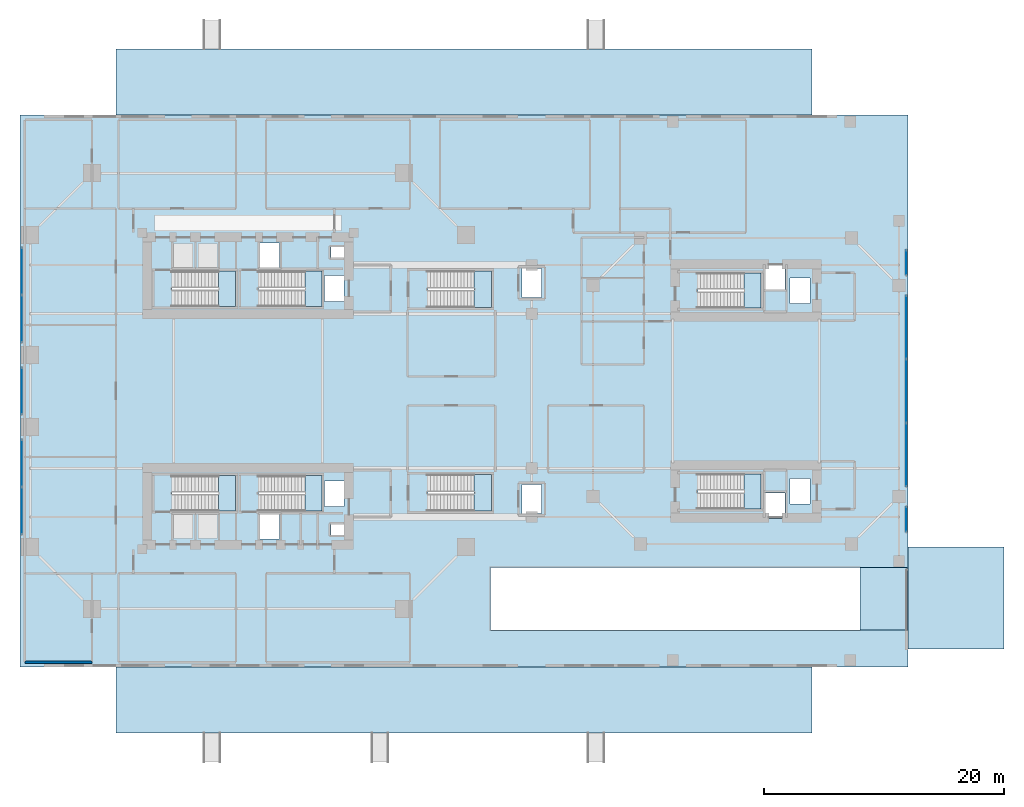
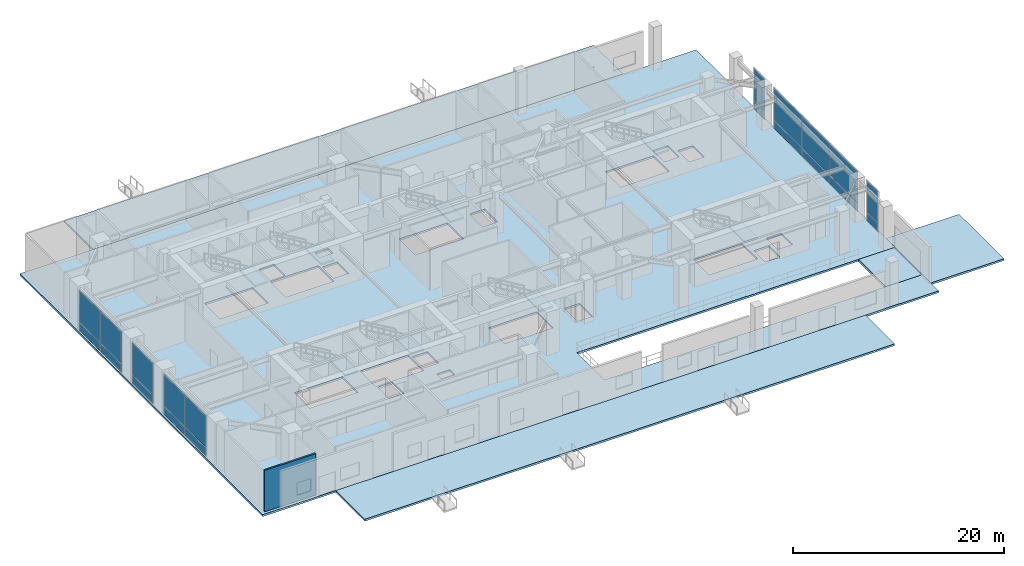
# One storey, part 6 of 18: 20 plates, 13 slabs, 1 wall, 14 elements without a shape of their own.
"""IFC4 building model written with IfcOpenShell, lengths in metres."""

from ifc_helpers import new_model, si_unit, direction, frame, frame_2d, origin, origin_2d, place, context, subcontext, project, spatial, polyline, rectangle, outline, extrude, source, transform, mapped, material, layer, layer_set, type_object, element, aggregate, save


model = new_model("IFC4")

# Units and contexts
model_context = context("Model", 3, precision=1e-05, world=origin(), true_north=direction((0.0, 1.0)))
body_context = subcontext(model_context, "Body", "Model", "MODEL_VIEW")
ifc_project = project(units=[si_unit("LENGTHUNIT", "METRE"), si_unit("AREAUNIT", "SQUARE_METRE"), si_unit("VOLUMEUNIT", "CUBIC_METRE"), si_unit("PLANEANGLEUNIT", "RADIAN"), si_unit("MASSUNIT", "GRAM", prefix="KILO"), si_unit("THERMODYNAMICTEMPERATUREUNIT", "KELVIN"), si_unit("POWERUNIT", "WATT")], contexts=[model_context])

# Site, building, storey
site_placement = place(None, origin())
site = spatial("IfcSite", under=ifc_project, at=site_placement, CompositionType="ELEMENT")
building_placement = place(site_placement, origin())
building = spatial("IfcBuilding", under=site, at=building_placement, Name="Qiaomeng Ring Towers", CompositionType="ELEMENT")
storey_placement = place(building_placement, origin())
storey = spatial("IfcBuildingStorey", under=building, at=storey_placement, Name="L00", CompositionType="ELEMENT", Elevation=0.0)

# Slab
ifc_material_1 = material(Name="Concrete C40", Category="concrete")
ifc_layer_1 = layer(ifc_material_1, 0.219970703125, Name="Concrete C40")
ifc_layer_set_1 = layer_set([ifc_layer_1], Name="Concrete C40")
slab_type_1 = type_object("IfcSlabType", Name="STR-SL-220", PredefinedType="FLOOR", material=ifc_layer_set_1)
slab_1_placement = place(storey_placement, frame((0.0, 0.0, -0.219970703125)))
element("IfcSlab", 1, at=slab_1_placement, inside=storey, type_object=slab_type_1, Name="L00 Structural Floor Slab", PredefinedType="FLOOR", context=body_context, shape_type="SweptSolid", body=[
    extrude(outline(polyline([(0.0, 0.0), (74.0, 0.0), (74.0, 46.0), (0.0, 46.0), (0.0, 0.0)]), holes=[polyline([(25.919921875, 11.89990234375), (27.360107421875, 11.89990234375), (27.360107421875, 11.0), (25.919921875, 11.0), (25.919921875, 11.89990234375)]), polyline([(19.97998046875, 12.820068359375), (21.6201171875, 12.820068359375), (21.6201171875, 10.679931640625), (19.97998046875, 10.679931640625), (19.97998046875, 12.820068359375)]), polyline([(25.360107421875, 15.52001953125), (27.0, 15.52001953125), (27.0, 13.3798828125), (25.360107421875, 13.3798828125), (25.360107421875, 15.52001953125)]), polyline([(17.949951171875, 15.949951171875), (17.949951171875, 13.010009765625), (12.679931640625, 13.010009765625), (12.679931640625, 15.949951171875), (17.949951171875, 15.949951171875)]), polyline([(25.14990234375, 15.949951171875), (25.14990234375, 13.010009765625), (19.8798828125, 13.010009765625), (19.8798828125, 15.949951171875), (25.14990234375, 15.949951171875)]), polyline([(33.989990234375, 16.0400390625), (39.300048828125, 16.0400390625), (39.300048828125, 13.0), (33.989990234375, 13.0), (33.989990234375, 16.0400390625)]), polyline([(39.300048828125, 33.0), (39.300048828125, 29.9599609375), (33.989990234375, 29.9599609375), (33.989990234375, 33.0), (39.300048828125, 33.0)]), polyline([(17.949951171875, 32.989990234375), (17.949951171875, 30.050048828125), (12.679931640625, 30.050048828125), (12.679931640625, 32.989990234375), (17.949951171875, 32.989990234375)]), polyline([(19.8798828125, 32.989990234375), (25.14990234375, 32.989990234375), (25.14990234375, 30.050048828125), (19.8798828125, 30.050048828125), (19.8798828125, 32.989990234375)]), polyline([(27.0, 32.6201171875), (27.0, 30.47998046875), (25.360107421875, 30.47998046875), (25.360107421875, 32.6201171875), (27.0, 32.6201171875)]), polyline([(21.6201171875, 35.320068359375), (21.6201171875, 33.179931640625), (19.97998046875, 33.179931640625), (19.97998046875, 35.320068359375), (21.6201171875, 35.320068359375)]), polyline([(25.919921875, 35.0), (27.360107421875, 35.0), (27.360107421875, 34.10009765625), (25.919921875, 34.10009765625), (25.919921875, 35.0)]), polyline([(73.820068359375, 8.300048828125), (73.820068359375, 3.10009765625), (39.199951171875, 3.10009765625), (39.199951171875, 8.300048828125), (73.820068359375, 8.300048828125)]), polyline([(63.77001953125, 14.52001953125), (63.77001953125, 12.3798828125), (62.1298828125, 12.3798828125), (62.1298828125, 14.52001953125), (63.77001953125, 14.52001953125)]), polyline([(41.830078125, 15.219970703125), (43.469970703125, 15.219970703125), (43.469970703125, 12.780029296875), (41.830078125, 12.780029296875), (41.830078125, 15.219970703125)]), polyline([(61.75, 16.10009765625), (61.75, 13.159912109375), (56.47998046875, 13.159912109375), (56.47998046875, 16.10009765625), (61.75, 16.10009765625)]), polyline([(65.820068359375, 15.719970703125), (65.820068359375, 13.580078125), (64.179931640625, 13.580078125), (64.179931640625, 15.719970703125), (65.820068359375, 15.719970703125)]), polyline([(65.820068359375, 32.419921875), (65.820068359375, 30.280029296875), (64.179931640625, 30.280029296875), (64.179931640625, 32.419921875), (65.820068359375, 32.419921875)]), polyline([(56.47998046875, 32.840087890625), (61.75, 32.840087890625), (61.75, 29.89990234375), (56.47998046875, 29.89990234375), (56.47998046875, 32.840087890625)]), polyline([(43.469970703125, 33.219970703125), (43.469970703125, 30.780029296875), (41.830078125, 30.780029296875), (41.830078125, 33.219970703125), (43.469970703125, 33.219970703125)]), polyline([(63.77001953125, 33.6201171875), (63.77001953125, 31.47998046875), (62.1298828125, 31.47998046875), (62.1298828125, 33.6201171875), (63.77001953125, 33.6201171875)])]), origin(), (0.0, 0.0, 1.0), 0.219970703125),
])

# Stair, slab
ifc_material_2 = material(Name="Precast concrete C40", Category="concrete")
stair_type_1 = type_object("IfcStairType", Name="ARC-ST-500", PredefinedType="HALF_TURN_STAIR", material=ifc_material_2)
stair_1_placement = place(storey_placement, origin())
stair_1 = element("IfcStair", 2, at=stair_1_placement, inside=storey, type_object=stair_type_1, Name="L00 Tower 1 North Stair 1", PredefinedType="HALF_TURN_STAIR")
ifc_layer_2 = layer(ifc_material_1, 0.199951171875, Name="Concrete C40")
ifc_layer_set_2 = layer_set([ifc_layer_2], Name="Concrete C40")
slab_type_2 = type_object("IfcSlabType", Name="STR-SL-LANDING", PredefinedType="LANDING", material=ifc_layer_set_2)
slab_2_placement = place(storey_placement, frame((0.0, 0.0, 2.300048828125)))
slab_2 = element("IfcSlab", 3, at=slab_2_placement, type_object=slab_type_2, Name="ST1 landing 1", PredefinedType="LANDING", context=body_context, shape_type="SweptSolid", body=[
    extrude(outline(polyline([(16.5400390625, 30.050048828125), (17.949951171875, 30.050048828125), (17.949951171875, 32.989990234375), (16.5400390625, 32.989990234375), (16.5400390625, 30.050048828125)])), origin(), (0.0, 0.0, 1.0), 0.199951171875),
])
aggregate(stair_1, [slab_2])

stair_2_placement = place(storey_placement, origin())
stair_2 = element("IfcStair", 4, at=stair_2_placement, inside=storey, type_object=stair_type_1, Name="L00 Tower 1 North Stair 2", PredefinedType="HALF_TURN_STAIR")
slab_3_placement = place(storey_placement, frame((0.0, 0.0, 2.300048828125)))
slab_3 = element("IfcSlab", 5, at=slab_3_placement, type_object=slab_type_2, Name="ST2 landing 1", PredefinedType="LANDING", context=body_context, shape_type="SweptSolid", body=[
    extrude(outline(polyline([(23.739990234375, 30.050048828125), (25.14990234375, 30.050048828125), (25.14990234375, 32.989990234375), (23.739990234375, 32.989990234375), (23.739990234375, 30.050048828125)])), origin(), (0.0, 0.0, 1.0), 0.199951171875),
])
aggregate(stair_2, [slab_3])

stair_3_placement = place(storey_placement, origin())
stair_3 = element("IfcStair", 6, at=stair_3_placement, inside=storey, type_object=stair_type_1, Name="L00 Tower 1 South Stair 3", PredefinedType="HALF_TURN_STAIR")
slab_4_placement = place(storey_placement, frame((0.0, 0.0, 2.300048828125)))
slab_4 = element("IfcSlab", 7, at=slab_4_placement, type_object=slab_type_2, Name="ST3 landing 1", PredefinedType="LANDING", context=body_context, shape_type="SweptSolid", body=[
    extrude(outline(polyline([(16.5400390625, 13.010009765625), (17.949951171875, 13.010009765625), (17.949951171875, 15.949951171875), (16.5400390625, 15.949951171875), (16.5400390625, 13.010009765625)])), origin(), (0.0, 0.0, 1.0), 0.199951171875),
])
aggregate(stair_3, [slab_4])

stair_4_placement = place(storey_placement, origin())
stair_4 = element("IfcStair", 8, at=stair_4_placement, inside=storey, type_object=stair_type_1, Name="L00 Tower 1 South Stair 4", PredefinedType="HALF_TURN_STAIR")
slab_5_placement = place(storey_placement, frame((0.0, 0.0, 2.300048828125)))
slab_5 = element("IfcSlab", 9, at=slab_5_placement, type_object=slab_type_2, Name="ST4 landing 1", PredefinedType="LANDING", context=body_context, shape_type="SweptSolid", body=[
    extrude(outline(polyline([(23.739990234375, 13.010009765625), (25.14990234375, 13.010009765625), (25.14990234375, 15.949951171875), (23.739990234375, 15.949951171875), (23.739990234375, 13.010009765625)])), origin(), (0.0, 0.0, 1.0), 0.199951171875),
])
aggregate(stair_4, [slab_5])

stair_5_placement = place(storey_placement, origin())
stair_5 = element("IfcStair", 10, at=stair_5_placement, inside=storey, type_object=stair_type_1, Name="L00 Companion North Stair 5", PredefinedType="HALF_TURN_STAIR")
slab_6_placement = place(storey_placement, frame((0.0, 0.0, 2.300048828125)))
slab_6 = element("IfcSlab", 11, at=slab_6_placement, type_object=slab_type_2, Name="ST5 landing 1", PredefinedType="LANDING", context=body_context, shape_type="SweptSolid", body=[
    extrude(outline(polyline([(60.340087890625, 29.89990234375), (61.75, 29.89990234375), (61.75, 32.840087890625), (60.340087890625, 32.840087890625), (60.340087890625, 29.89990234375)])), origin(), (0.0, 0.0, 1.0), 0.199951171875),
])
aggregate(stair_5, [slab_6])

stair_6_placement = place(storey_placement, origin())
stair_6 = element("IfcStair", 12, at=stair_6_placement, inside=storey, type_object=stair_type_1, Name="L00 Companion South Stair 6", PredefinedType="HALF_TURN_STAIR")
slab_7_placement = place(storey_placement, frame((0.0, 0.0, 2.300048828125)))
slab_7 = element("IfcSlab", 13, at=slab_7_placement, type_object=slab_type_2, Name="ST6 landing 1", PredefinedType="LANDING", context=body_context, shape_type="SweptSolid", body=[
    extrude(outline(polyline([(60.340087890625, 13.159912109375), (61.75, 13.159912109375), (61.75, 16.10009765625), (60.340087890625, 16.10009765625), (60.340087890625, 13.159912109375)])), origin(), (0.0, 0.0, 1.0), 0.199951171875),
])
aggregate(stair_6, [slab_7])

stair_type_2 = type_object("IfcStairType", Name="ARC-ST-POD", PredefinedType="HALF_TURN_STAIR", material=ifc_material_2)
stair_7_placement = place(storey_placement, origin())
stair_7 = element("IfcStair", 14, at=stair_7_placement, inside=storey, type_object=stair_type_2, Name="L00 Podium Clinic North Stair 7", PredefinedType="HALF_TURN_STAIR")
slab_8_placement = place(storey_placement, frame((0.0, 0.0, 2.300048828125)))
slab_8 = element("IfcSlab", 15, at=slab_8_placement, type_object=slab_type_2, Name="ST7 landing 1", PredefinedType="LANDING", context=body_context, shape_type="SweptSolid", body=[
    extrude(outline(polyline([(37.85009765625, 29.9599609375), (39.300048828125, 29.9599609375), (39.300048828125, 33.0), (37.85009765625, 33.0), (37.85009765625, 29.9599609375)])), origin(), (0.0, 0.0, 1.0), 0.199951171875),
])
aggregate(stair_7, [slab_8])

stair_8_placement = place(storey_placement, origin())
stair_8 = element("IfcStair", 16, at=stair_8_placement, inside=storey, type_object=stair_type_2, Name="L00 Podium Clinic South Stair 8", PredefinedType="HALF_TURN_STAIR")
slab_9_placement = place(storey_placement, frame((0.0, 0.0, 2.300048828125)))
slab_9 = element("IfcSlab", 17, at=slab_9_placement, type_object=slab_type_2, Name="ST8 landing 1", PredefinedType="LANDING", context=body_context, shape_type="SweptSolid", body=[
    extrude(outline(polyline([(37.85009765625, 13.0), (39.300048828125, 13.0), (39.300048828125, 16.0400390625), (37.85009765625, 16.0400390625), (37.85009765625, 13.0)])), origin(), (0.0, 0.0, 1.0), 0.199951171875),
])
aggregate(stair_8, [slab_9])

# Slabs
ifc_layer_3 = layer(ifc_material_1, 0.219970703125, Name="Concrete C40")
ifc_layer_set_3 = layer_set([ifc_layer_3], Name="Concrete C40")
slab_type_3 = type_object("IfcSlabType", Name="STR-SL-TERR220", PredefinedType="FLOOR", material=ifc_layer_set_3)
slab_10_placement = place(storey_placement, frame((0.0, 0.0, -0.219970703125)))
element("IfcSlab", 18, at=slab_10_placement, inside=storey, type_object=slab_type_3, Name="Ground South Entry Forecourt Apron", PredefinedType="FLOOR", context=body_context, shape_type="SweptSolid", body=[
    extrude(outline(polyline([(8.0, -5.5), (66.0, -5.5), (66.0, 0.0), (8.0, 0.0), (8.0, -5.5)])), origin(), (0.0, 0.0, 1.0), 0.219970703125),
])
slab_11_placement = place(storey_placement, frame((0.0, 0.0, -0.219970703125)))
element("IfcSlab", 19, at=slab_11_placement, inside=storey, type_object=slab_type_3, Name="Ground North Entry Forecourt Apron", PredefinedType="FLOOR", context=body_context, shape_type="SweptSolid", body=[
    extrude(outline(polyline([(8.0, 46.0), (66.0, 46.0), (66.0, 51.5), (8.0, 51.5), (8.0, 46.0)])), origin(), (0.0, 0.0, 1.0), 0.219970703125),
])
slab_12_placement = place(storey_placement, frame((0.0, 0.0, -0.219970703125)))
element("IfcSlab", 20, at=slab_12_placement, inside=storey, type_object=slab_type_3, Name="Ground East Car Park Ramp Exit Driveway Apron", PredefinedType="FLOOR", context=body_context, shape_type="SweptSolid", body=[
    extrude(outline(polyline([(74.0, 1.5), (82.0, 1.5), (82.0, 10.0), (74.0, 10.0), (74.0, 1.5)])), origin(), (0.0, 0.0, 1.0), 0.219970703125),
])
ifc_layer_4 = layer(ifc_material_1, 0.280029296875, Name="Concrete C40")
ifc_layer_set_4 = layer_set([ifc_layer_4], Name="Concrete C40")
slab_type_4 = type_object("IfcSlabType", Name="STR-SL-VRAMP", PredefinedType="FLOOR", material=ifc_layer_set_4)
slab_13_placement = place(storey_placement, frame((0.0, 0.0, -0.280029296875)))
element("IfcSlab", 21, at=slab_13_placement, inside=storey, type_object=slab_type_4, Name="Car Park Vehicle Ramp R1 Grade Arrival Landing", PredefinedType="FLOOR", context=body_context, shape_type="SweptSolid", body=[
    extrude(outline(polyline([(70.0, 3.10009765625), (73.89990234375, 3.10009765625), (73.89990234375, 8.300048828125), (70.0, 8.300048828125), (70.0, 3.10009765625)])), origin(), (0.0, 0.0, 1.0), 0.280029296875),
])

# Curtain wall, plates
ifc_material_3 = material(Name="Fluorocarbon dark-grey aluminium", Category="aluminium")
ifc_layer_5 = layer(ifc_material_3, 0.179931640625, Name="Fluorocarbon dark-grey aluminium")
ifc_layer_set_5 = layer_set([ifc_layer_5], Name="Fluorocarbon dark-grey aluminium")
curtain_wall_type = type_object("IfcCurtainWallType", Name="ARC-CW-1", PredefinedType="NOTDEFINED", material=ifc_layer_set_5)
curtain_wall_1_placement = place(storey_placement, origin())
curtain_wall_1 = element("IfcCurtainWall", 22, at=curtain_wall_1_placement, inside=storey, type_object=curtain_wall_type, Name="L00 Curtain Wall CW1", PredefinedType="NOTDEFINED")
ifc_material_4 = material(Name="Low-E pale-green laminated safety glass", Category="glass")
ifc_layer_6 = layer(ifc_material_4, 0.031982421875, Name="Low-E pale-green laminated safety glass")
ifc_layer_set_6 = layer_set([ifc_layer_6], Name="Low-E pale-green laminated safety glass")
plate_type = type_object("IfcPlateType", Name="ARC-CWP-GREEN", PredefinedType="CURTAIN_PANEL", material=ifc_layer_set_6)
shared_shape_1 = source(origin(), body_context, "Body", "SweptSolid", [
    extrude(rectangle(XDim=3.889892578125, YDim=0.031982421875, at=origin_2d()), origin(), (0.0, 0.0, 1.0), 0.945068359375),
])
plate_1_placement = place(storey_placement, frame((0.14990234375, 13.014892578125, 0.06982421875), z_axis=(0.0, 0.0, 1.0), x_axis=(0.0, 1.0, 0.0)))
plate_1 = element("IfcPlate", 23, at=plate_1_placement, type_object=plate_type, Name="CW1 panel 1.1", PredefinedType="CURTAIN_PANEL", context=body_context, shape_type="MappedRepresentation", body=[
    mapped(shared_shape_1, transform((0.0, 0.0, 0.0), x_axis=(1.0, 0.0, 0.0), y_axis=(0.0, 1.0, 0.0), z_axis=(0.0, 0.0, 1.0), scale=1.0)),
])
plate_2_placement = place(storey_placement, frame((0.14990234375, 16.985107421875, 0.06982421875), z_axis=(0.0, 0.0, 1.0), x_axis=(0.0, 1.0, 0.0)))
plate_2 = element("IfcPlate", 24, at=plate_2_placement, type_object=plate_type, Name="CW1 panel 2.1", PredefinedType="CURTAIN_PANEL", context=body_context, shape_type="MappedRepresentation", body=[
    mapped(shared_shape_1, transform((0.0, 0.0, 0.0), x_axis=(1.0, 0.0, 0.0), y_axis=(0.0, 1.0, 0.0), z_axis=(0.0, 0.0, 1.0), scale=1.0)),
])

curtain_wall_2_placement = place(storey_placement, origin())
curtain_wall_2 = element("IfcCurtainWall", 25, at=curtain_wall_2_placement, inside=storey, type_object=curtain_wall_type, Name="L00 Curtain Wall CW1", PredefinedType="NOTDEFINED")
plate_3_placement = place(storey_placement, frame((0.14990234375, 29.014892578125, 0.06982421875), z_axis=(0.0, 0.0, 1.0), x_axis=(0.0, 1.0, 0.0)))
plate_3 = element("IfcPlate", 26, at=plate_3_placement, type_object=plate_type, Name="CW1 panel 1.1", PredefinedType="CURTAIN_PANEL", context=body_context, shape_type="MappedRepresentation", body=[
    mapped(shared_shape_1, transform((0.0, 0.0, 0.0), x_axis=(1.0, 0.0, 0.0), y_axis=(0.0, 1.0, 0.0), z_axis=(0.0, 0.0, 1.0), scale=1.0)),
])
plate_4_placement = place(storey_placement, frame((0.14990234375, 32.985107421875, 0.06982421875), z_axis=(0.0, 0.0, 1.0), x_axis=(0.0, 1.0, 0.0)))
plate_4 = element("IfcPlate", 27, at=plate_4_placement, type_object=plate_type, Name="CW1 panel 2.1", PredefinedType="CURTAIN_PANEL", context=body_context, shape_type="MappedRepresentation", body=[
    mapped(shared_shape_1, transform((0.0, 0.0, 0.0), x_axis=(1.0, 0.0, 0.0), y_axis=(0.0, 1.0, 0.0), z_axis=(0.0, 0.0, 1.0), scale=1.0)),
])

# Plate
shared_shape_2 = source(origin(), body_context, "Body", "SweptSolid", [
    extrude(rectangle(XDim=3.889892578125, YDim=0.031982421875, at=origin_2d()), origin(), (0.0, 0.0, 1.0), 3.625),
])
plate_5_placement = place(storey_placement, frame((0.14990234375, 13.014892578125, 1.0849609375), z_axis=(0.0, 0.0, 1.0), x_axis=(0.0, 1.0, 0.0)))
plate_5 = element("IfcPlate", 28, at=plate_5_placement, type_object=plate_type, Name="CW1 panel 1.2", PredefinedType="CURTAIN_PANEL", context=body_context, shape_type="MappedRepresentation", body=[
    mapped(shared_shape_2, transform((0.0, 0.0, 0.0), x_axis=(1.0, 0.0, 0.0), y_axis=(0.0, 1.0, 0.0), z_axis=(0.0, 0.0, 1.0), scale=1.0)),
])

plate_6_placement = place(storey_placement, frame((0.14990234375, 16.985107421875, 1.0849609375), z_axis=(0.0, 0.0, 1.0), x_axis=(0.0, 1.0, 0.0)))
plate_6 = element("IfcPlate", 29, at=plate_6_placement, type_object=plate_type, Name="CW1 panel 2.2", PredefinedType="CURTAIN_PANEL", context=body_context, shape_type="MappedRepresentation", body=[
    mapped(shared_shape_2, transform((0.0, 0.0, 0.0), x_axis=(1.0, 0.0, 0.0), y_axis=(0.0, 1.0, 0.0), z_axis=(0.0, 0.0, 1.0), scale=1.0)),
])

aggregate(curtain_wall_1, [plate_1, plate_5, plate_2, plate_6])

plate_7_placement = place(storey_placement, frame((0.14990234375, 29.014892578125, 1.0849609375), z_axis=(0.0, 0.0, 1.0), x_axis=(0.0, 1.0, 0.0)))
plate_7 = element("IfcPlate", 30, at=plate_7_placement, type_object=plate_type, Name="CW1 panel 1.2", PredefinedType="CURTAIN_PANEL", context=body_context, shape_type="MappedRepresentation", body=[
    mapped(shared_shape_2, transform((0.0, 0.0, 0.0), x_axis=(1.0, 0.0, 0.0), y_axis=(0.0, 1.0, 0.0), z_axis=(0.0, 0.0, 1.0), scale=1.0)),
])

plate_8_placement = place(storey_placement, frame((0.14990234375, 32.985107421875, 1.0849609375), z_axis=(0.0, 0.0, 1.0), x_axis=(0.0, 1.0, 0.0)))
plate_8 = element("IfcPlate", 31, at=plate_8_placement, type_object=plate_type, Name="CW1 panel 2.2", PredefinedType="CURTAIN_PANEL", context=body_context, shape_type="MappedRepresentation", body=[
    mapped(shared_shape_2, transform((0.0, 0.0, 0.0), x_axis=(1.0, 0.0, 0.0), y_axis=(0.0, 1.0, 0.0), z_axis=(0.0, 0.0, 1.0), scale=1.0)),
])

aggregate(curtain_wall_2, [plate_3, plate_7, plate_4, plate_8])

# Curtain wall, plates
curtain_wall_3_placement = place(storey_placement, origin())
curtain_wall_3 = element("IfcCurtainWall", 32, at=curtain_wall_3_placement, inside=storey, type_object=curtain_wall_type, Name="L00 Curtain Wall CW1", PredefinedType="NOTDEFINED")
shared_shape_3 = source(origin(), body_context, "Body", "SweptSolid", [
    extrude(rectangle(XDim=3.860107421875, YDim=0.031982421875, at=origin_2d()), origin(), (0.0, 0.0, 1.0), 0.945068359375),
])
plate_9_placement = place(storey_placement, frame((0.14990234375, 23.0, 0.06982421875), z_axis=(0.0, 0.0, 1.0), x_axis=(0.0, 1.0, 0.0)))
plate_9 = element("IfcPlate", 33, at=plate_9_placement, type_object=plate_type, Name="CW1 panel 1.1", PredefinedType="CURTAIN_PANEL", context=body_context, shape_type="MappedRepresentation", body=[
    mapped(shared_shape_3, transform((0.0, 0.0, 0.0), x_axis=(1.0, 0.0, 0.0), y_axis=(0.0, 1.0, 0.0), z_axis=(0.0, 0.0, 1.0), scale=1.0)),
])
shared_shape_4 = source(origin(), body_context, "Body", "SweptSolid", [
    extrude(rectangle(XDim=3.860107421875, YDim=0.031982421875, at=origin_2d()), origin(), (0.0, 0.0, 1.0), 3.625),
])
plate_10_placement = place(storey_placement, frame((0.14990234375, 23.0, 1.0849609375), z_axis=(0.0, 0.0, 1.0), x_axis=(0.0, 1.0, 0.0)))
plate_10 = element("IfcPlate", 34, at=plate_10_placement, type_object=plate_type, Name="CW1 panel 1.2", PredefinedType="CURTAIN_PANEL", context=body_context, shape_type="MappedRepresentation", body=[
    mapped(shared_shape_4, transform((0.0, 0.0, 0.0), x_axis=(1.0, 0.0, 0.0), y_axis=(0.0, 1.0, 0.0), z_axis=(0.0, 0.0, 1.0), scale=1.0)),
])
aggregate(curtain_wall_3, [plate_9, plate_10])

# Curtain wall, plate
curtain_wall_4_placement = place(storey_placement, origin())
curtain_wall_4 = element("IfcCurtainWall", 35, at=curtain_wall_4_placement, inside=storey, type_object=curtain_wall_type, Name="L00 Curtain Wall CW1", PredefinedType="NOTDEFINED")
shared_shape_5 = source(origin(), body_context, "Body", "SweptSolid", [
    extrude(rectangle(XDim=2.050048828125, YDim=0.031982421875, at=origin_2d()), origin(), (0.0, 0.0, 1.0), 0.945068359375),
])
plate_11_placement = place(storey_placement, frame((73.85009765625, 12.304931640625, 0.06982421875), z_axis=(0.0, 0.0, 1.0), x_axis=(0.0, 1.0, 0.0)))
plate_11 = element("IfcPlate", 36, at=plate_11_placement, type_object=plate_type, Name="CW1 panel 1.1", PredefinedType="CURTAIN_PANEL", context=body_context, shape_type="MappedRepresentation", body=[
    mapped(shared_shape_5, transform((0.0, 0.0, 0.0), x_axis=(1.0, 0.0, 0.0), y_axis=(0.0, 1.0, 0.0), z_axis=(0.0, 0.0, 1.0), scale=1.0)),
])

curtain_wall_5_placement = place(storey_placement, origin())
curtain_wall_5 = element("IfcCurtainWall", 37, at=curtain_wall_5_placement, inside=storey, type_object=curtain_wall_type, Name="L00 Curtain Wall CW1", PredefinedType="NOTDEFINED")
plate_12_placement = place(storey_placement, frame((73.85009765625, 33.695068359375, 0.06982421875), z_axis=(0.0, 0.0, 1.0), x_axis=(0.0, 1.0, 0.0)))
plate_12 = element("IfcPlate", 38, at=plate_12_placement, type_object=plate_type, Name="CW1 panel 1.1", PredefinedType="CURTAIN_PANEL", context=body_context, shape_type="MappedRepresentation", body=[
    mapped(shared_shape_5, transform((0.0, 0.0, 0.0), x_axis=(1.0, 0.0, 0.0), y_axis=(0.0, 1.0, 0.0), z_axis=(0.0, 0.0, 1.0), scale=1.0)),
])

# Plate
shared_shape_6 = source(origin(), body_context, "Body", "SweptSolid", [
    extrude(rectangle(XDim=2.050048828125, YDim=0.031982421875, at=origin_2d()), origin(), (0.0, 0.0, 1.0), 3.625),
])
plate_13_placement = place(storey_placement, frame((73.85009765625, 12.304931640625, 1.0849609375), z_axis=(0.0, 0.0, 1.0), x_axis=(0.0, 1.0, 0.0)))
plate_13 = element("IfcPlate", 39, at=plate_13_placement, type_object=plate_type, Name="CW1 panel 1.2", PredefinedType="CURTAIN_PANEL", context=body_context, shape_type="MappedRepresentation", body=[
    mapped(shared_shape_6, transform((0.0, 0.0, 0.0), x_axis=(1.0, 0.0, 0.0), y_axis=(0.0, 1.0, 0.0), z_axis=(0.0, 0.0, 1.0), scale=1.0)),
])

aggregate(curtain_wall_4, [plate_11, plate_13])

plate_14_placement = place(storey_placement, frame((73.85009765625, 33.695068359375, 1.0849609375), z_axis=(0.0, 0.0, 1.0), x_axis=(0.0, 1.0, 0.0)))
plate_14 = element("IfcPlate", 40, at=plate_14_placement, type_object=plate_type, Name="CW1 panel 1.2", PredefinedType="CURTAIN_PANEL", context=body_context, shape_type="MappedRepresentation", body=[
    mapped(shared_shape_6, transform((0.0, 0.0, 0.0), x_axis=(1.0, 0.0, 0.0), y_axis=(0.0, 1.0, 0.0), z_axis=(0.0, 0.0, 1.0), scale=1.0)),
])

aggregate(curtain_wall_5, [plate_12, plate_14])

# Curtain wall, plates
curtain_wall_6_placement = place(storey_placement, origin())
curtain_wall_6 = element("IfcCurtainWall", 41, at=curtain_wall_6_placement, inside=storey, type_object=curtain_wall_type, Name="L00 Curtain Wall CW1", PredefinedType="NOTDEFINED")
shared_shape_7 = source(origin(), body_context, "Body", "SweptSolid", [
    extrude(rectangle(XDim=5.219970703125, YDim=0.031982421875, at=origin_2d()), origin(), (0.0, 0.0, 1.0), 0.945068359375),
])
plate_15_placement = place(storey_placement, frame((73.85009765625, 17.679931640625, 0.06982421875), z_axis=(0.0, 0.0, 1.0), x_axis=(0.0, 1.0, 0.0)))
plate_15 = element("IfcPlate", 42, at=plate_15_placement, type_object=plate_type, Name="CW1 panel 1.1", PredefinedType="CURTAIN_PANEL", context=body_context, shape_type="MappedRepresentation", body=[
    mapped(shared_shape_7, transform((0.0, 0.0, 0.0), x_axis=(1.0, 0.0, 0.0), y_axis=(0.0, 1.0, 0.0), z_axis=(0.0, 0.0, 1.0), scale=1.0)),
])
plate_16_placement = place(storey_placement, frame((73.85009765625, 28.320068359375, 0.06982421875), z_axis=(0.0, 0.0, 1.0), x_axis=(0.0, 1.0, 0.0)))
plate_16 = element("IfcPlate", 43, at=plate_16_placement, type_object=plate_type, Name="CW1 panel 3.1", PredefinedType="CURTAIN_PANEL", context=body_context, shape_type="MappedRepresentation", body=[
    mapped(shared_shape_7, transform((0.0, 0.0, 0.0), x_axis=(1.0, 0.0, 0.0), y_axis=(0.0, 1.0, 0.0), z_axis=(0.0, 0.0, 1.0), scale=1.0)),
])
shared_shape_8 = source(origin(), body_context, "Body", "SweptSolid", [
    extrude(rectangle(XDim=5.219970703125, YDim=0.031982421875, at=origin_2d()), origin(), (0.0, 0.0, 1.0), 3.625),
])
plate_17_placement = place(storey_placement, frame((73.85009765625, 17.679931640625, 1.0849609375), z_axis=(0.0, 0.0, 1.0), x_axis=(0.0, 1.0, 0.0)))
plate_17 = element("IfcPlate", 44, at=plate_17_placement, type_object=plate_type, Name="CW1 panel 1.2", PredefinedType="CURTAIN_PANEL", context=body_context, shape_type="MappedRepresentation", body=[
    mapped(shared_shape_8, transform((0.0, 0.0, 0.0), x_axis=(1.0, 0.0, 0.0), y_axis=(0.0, 1.0, 0.0), z_axis=(0.0, 0.0, 1.0), scale=1.0)),
])
plate_18_placement = place(storey_placement, frame((73.85009765625, 28.320068359375, 1.0849609375), z_axis=(0.0, 0.0, 1.0), x_axis=(0.0, 1.0, 0.0)))
plate_18 = element("IfcPlate", 45, at=plate_18_placement, type_object=plate_type, Name="CW1 panel 3.2", PredefinedType="CURTAIN_PANEL", context=body_context, shape_type="MappedRepresentation", body=[
    mapped(shared_shape_8, transform((0.0, 0.0, 0.0), x_axis=(1.0, 0.0, 0.0), y_axis=(0.0, 1.0, 0.0), z_axis=(0.0, 0.0, 1.0), scale=1.0)),
])
shared_shape_9 = source(origin(), body_context, "Body", "SweptSolid", [
    extrude(rectangle(XDim=5.260009765625, YDim=0.031982421875, at=origin_2d()), origin(), (0.0, 0.0, 1.0), 0.945068359375),
])
plate_19_placement = place(storey_placement, frame((73.85009765625, 23.0, 0.06982421875), z_axis=(0.0, 0.0, 1.0), x_axis=(0.0, 1.0, 0.0)))
plate_19 = element("IfcPlate", 46, at=plate_19_placement, type_object=plate_type, Name="CW1 panel 2.1", PredefinedType="CURTAIN_PANEL", context=body_context, shape_type="MappedRepresentation", body=[
    mapped(shared_shape_9, transform((0.0, 0.0, 0.0), x_axis=(1.0, 0.0, 0.0), y_axis=(0.0, 1.0, 0.0), z_axis=(0.0, 0.0, 1.0), scale=1.0)),
])
shared_shape_10 = source(origin(), body_context, "Body", "SweptSolid", [
    extrude(rectangle(XDim=5.260009765625, YDim=0.031982421875, at=origin_2d()), origin(), (0.0, 0.0, 1.0), 3.625),
])
plate_20_placement = place(storey_placement, frame((73.85009765625, 23.0, 1.0849609375), z_axis=(0.0, 0.0, 1.0), x_axis=(0.0, 1.0, 0.0)))
plate_20 = element("IfcPlate", 47, at=plate_20_placement, type_object=plate_type, Name="CW1 panel 2.2", PredefinedType="CURTAIN_PANEL", context=body_context, shape_type="MappedRepresentation", body=[
    mapped(shared_shape_10, transform((0.0, 0.0, 0.0), x_axis=(1.0, 0.0, 0.0), y_axis=(0.0, 1.0, 0.0), z_axis=(0.0, 0.0, 1.0), scale=1.0)),
])
aggregate(curtain_wall_6, [plate_15, plate_17, plate_19, plate_20, plate_16, plate_18])

# Wall
ifc_material_5 = material(Name="Autoclaved aerated concrete block", Category="concrete")
ifc_layer_7 = layer(ifc_material_5, 0.179931640625, Name="Autoclaved aerated concrete block")
ifc_layer_set_7 = layer_set([ifc_layer_7], Name="Autoclaved aerated concrete block")
wall_type = type_object("IfcWallType", Name="ARC-WL-PW2", PredefinedType="PARTITIONING", material=ifc_layer_set_7)
wall_placement = place(storey_placement, frame((0.39990234375, 0.39990234375, 0.0), z_axis=(0.0, 0.0, 1.0), x_axis=(1.0, 0.0, 0.0)))
element("IfcWall", 48, at=wall_placement, inside=storey, type_object=wall_type, Name="L00 Interior Wall PW2", PredefinedType="PARTITIONING", context=body_context, shape_type="SweptSolid", body=[
    extrude(rectangle(XDim=5.60009765625, YDim=0.179931640625, at=frame_2d((2.800048828125, 0.0))), origin(), (0.0, 0.0, 1.0), 4.780029296875),
])

save(model, "model.ifc")
